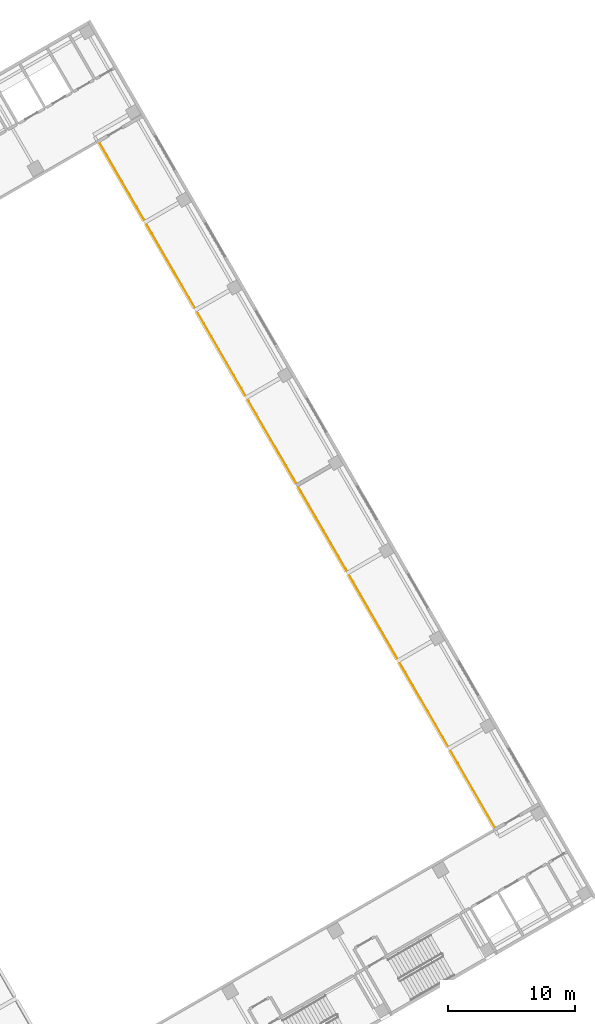
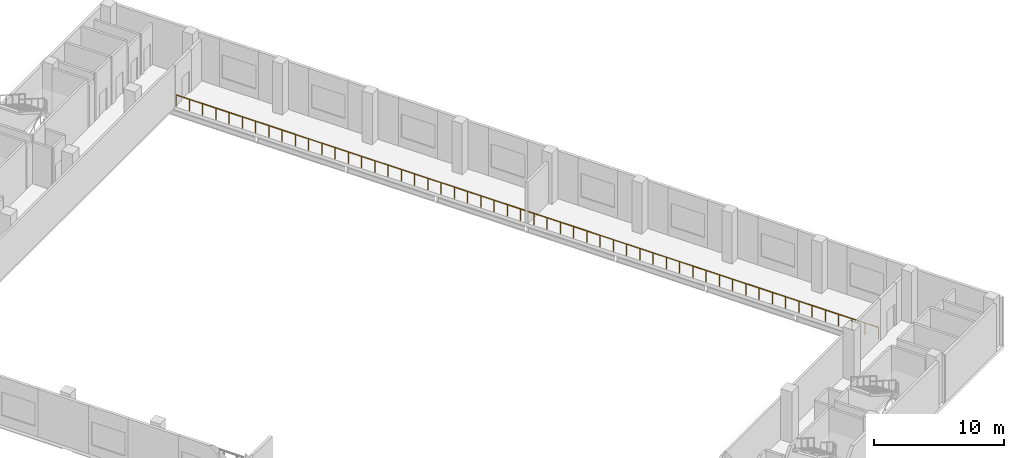
# One storey, part 28 of 28: 1 railing.
"""IFC4 building model written with IfcOpenShell, lengths in metres."""

from ifc_helpers import new_model, si_unit, direction, frame, origin, origin_2d, place, context, subcontext, project, spatial, circle, extrude, material, type_object, element, save


model = new_model("IFC4")

# Units and contexts
model_context = context("Model", 3, precision=1e-05, world=origin(), true_north=direction((0.0, 1.0)))
body_context = subcontext(model_context, "Body", "Model", "MODEL_VIEW")
ifc_project = project(units=[si_unit("LENGTHUNIT", "METRE"), si_unit("AREAUNIT", "SQUARE_METRE"), si_unit("VOLUMEUNIT", "CUBIC_METRE"), si_unit("PLANEANGLEUNIT", "RADIAN"), si_unit("MASSUNIT", "GRAM", prefix="KILO")], contexts=[model_context])

# Site, building, storey
site_placement = place(None, origin())
site = spatial("IfcSite", under=ifc_project, at=site_placement, CompositionType="ELEMENT")
building_placement = place(site_placement, origin())
building = spatial("IfcBuilding", under=site, at=building_placement, Name="Mestral Congress Tower", CompositionType="ELEMENT")
storey_placement = place(building_placement, frame((0.0, 0.0, 11.39990234375)))
storey = spatial("IfcBuildingStorey", under=building, at=storey_placement, Name="L02", CompositionType="ELEMENT", Elevation=11.39990234375)

# Railing
ifc_material = material(Name="Steel balustrade", Category="steel")
railing_type = type_object("IfcRailingType", Name="Podium gallery guard 1100", PredefinedType="GUARDRAIL", material=ifc_material)
railing_placement = place(storey_placement, frame((76.01123046875, 7.80078125, 0.0)))
element("IfcRailing", 1, at=railing_placement, inside=storey, type_object=railing_type, Name="Gallery guard", PredefinedType="GUARDRAIL", context=body_context, shape_type="SweptSolid", body=[
    extrude(circle(Radius=0.02392578125, at=origin_2d()), frame((0.0, 0.0, 1.076171875), z_axis=(-0.500000851427, 0.866024912212, 0.0), x_axis=(-0.866024912212, -0.500000851427, 0.0)), (0.0, 0.0, 1.0), 62.5),
    extrude(circle(Radius=0.02099609375, at=origin_2d()), origin(), (0.0, 0.0, 1.0), 1.052001953125),
    extrude(circle(Radius=0.02099609375, at=origin_2d()), frame((-0.589599609375, 1.021240234375, 0.0)), (0.0, 0.0, 1.0), 1.052001953125),
    extrude(circle(Radius=0.02099609375, at=origin_2d()), frame((-1.17919921875, 2.04248046875, 0.0)), (0.0, 0.0, 1.0), 1.052001953125),
    extrude(circle(Radius=0.02099609375, at=origin_2d()), frame((-1.768798828125, 3.063720703125, 0.0)), (0.0, 0.0, 1.0), 1.052001953125),
    extrude(circle(Radius=0.02099609375, at=origin_2d()), frame((-2.3583984375, 4.0849609375, 0.0)), (0.0, 0.0, 1.0), 1.052001953125),
    extrude(circle(Radius=0.02099609375, at=origin_2d()), frame((-2.947998046875, 5.106201171875, 0.0)), (0.0, 0.0, 1.0), 1.052001953125),
    extrude(circle(Radius=0.02099609375, at=origin_2d()), frame((-3.537841796875, 6.12744140625, 0.0)), (0.0, 0.0, 1.0), 1.052001953125),
    extrude(circle(Radius=0.02099609375, at=origin_2d()), frame((-4.12744140625, 7.148681640625, 0.0)), (0.0, 0.0, 1.0), 1.052001953125),
    extrude(circle(Radius=0.02099609375, at=origin_2d()), frame((-4.717041015625, 8.169921875, 0.0)), (0.0, 0.0, 1.0), 1.052001953125),
    extrude(circle(Radius=0.02099609375, at=origin_2d()), frame((-5.306640625, 9.19140625, 0.0)), (0.0, 0.0, 1.0), 1.052001953125),
    extrude(circle(Radius=0.02099609375, at=origin_2d()), frame((-5.896240234375, 10.212646484375, 0.0)), (0.0, 0.0, 1.0), 1.052001953125),
    extrude(circle(Radius=0.02099609375, at=origin_2d()), frame((-6.48583984375, 11.23388671875, 0.0)), (0.0, 0.0, 1.0), 1.052001953125),
    extrude(circle(Radius=0.02099609375, at=origin_2d()), frame((-7.075439453125, 12.255126953125, 0.0)), (0.0, 0.0, 1.0), 1.052001953125),
    extrude(circle(Radius=0.02099609375, at=origin_2d()), frame((-7.6650390625, 13.2763671875, 0.0)), (0.0, 0.0, 1.0), 1.052001953125),
    extrude(circle(Radius=0.02099609375, at=origin_2d()), frame((-8.254638671875, 14.297607421875, 0.0)), (0.0, 0.0, 1.0), 1.052001953125),
    extrude(circle(Radius=0.02099609375, at=origin_2d()), frame((-8.84423828125, 15.31884765625, 0.0)), (0.0, 0.0, 1.0), 1.052001953125),
    extrude(circle(Radius=0.02099609375, at=origin_2d()), frame((-9.43408203125, 16.340087890625, 0.0)), (0.0, 0.0, 1.0), 1.052001953125),
    extrude(circle(Radius=0.02099609375, at=origin_2d()), frame((-10.023681640625, 17.361328125, 0.0)), (0.0, 0.0, 1.0), 1.052001953125),
    extrude(circle(Radius=0.02099609375, at=origin_2d()), frame((-10.61328125, 18.382568359375, 0.0)), (0.0, 0.0, 1.0), 1.052001953125),
    extrude(circle(Radius=0.02099609375, at=origin_2d()), frame((-11.202880859375, 19.40380859375, 0.0)), (0.0, 0.0, 1.0), 1.052001953125),
    extrude(circle(Radius=0.02099609375, at=origin_2d()), frame((-11.79248046875, 20.425048828125, 0.0)), (0.0, 0.0, 1.0), 1.052001953125),
    extrude(circle(Radius=0.02099609375, at=origin_2d()), frame((-12.382080078125, 21.4462890625, 0.0)), (0.0, 0.0, 1.0), 1.052001953125),
    extrude(circle(Radius=0.02099609375, at=origin_2d()), frame((-12.9716796875, 22.467529296875, 0.0)), (0.0, 0.0, 1.0), 1.052001953125),
    extrude(circle(Radius=0.02099609375, at=origin_2d()), frame((-13.561279296875, 23.48876953125, 0.0)), (0.0, 0.0, 1.0), 1.052001953125),
    extrude(circle(Radius=0.02099609375, at=origin_2d()), frame((-14.15087890625, 24.510009765625, 0.0)), (0.0, 0.0, 1.0), 1.052001953125),
    extrude(circle(Radius=0.02099609375, at=origin_2d()), frame((-14.740478515625, 25.53125, 0.0)), (0.0, 0.0, 1.0), 1.052001953125),
    extrude(circle(Radius=0.02099609375, at=origin_2d()), frame((-15.330078125, 26.552490234375, 0.0)), (0.0, 0.0, 1.0), 1.052001953125),
    extrude(circle(Radius=0.02099609375, at=origin_2d()), frame((-15.919921875, 27.573974609375, 0.0)), (0.0, 0.0, 1.0), 1.052001953125),
    extrude(circle(Radius=0.02099609375, at=origin_2d()), frame((-16.509521484375, 28.59521484375, 0.0)), (0.0, 0.0, 1.0), 1.052001953125),
    extrude(circle(Radius=0.02099609375, at=origin_2d()), frame((-17.09912109375, 29.616455078125, 0.0)), (0.0, 0.0, 1.0), 1.052001953125),
    extrude(circle(Radius=0.02099609375, at=origin_2d()), frame((-17.688720703125, 30.6376953125, 0.0)), (0.0, 0.0, 1.0), 1.052001953125),
    extrude(circle(Radius=0.02099609375, at=origin_2d()), frame((-18.2783203125, 31.658935546875, 0.0)), (0.0, 0.0, 1.0), 1.052001953125),
    extrude(circle(Radius=0.02099609375, at=origin_2d()), frame((-18.867919921875, 32.68017578125, 0.0)), (0.0, 0.0, 1.0), 1.052001953125),
    extrude(circle(Radius=0.02099609375, at=origin_2d()), frame((-19.45751953125, 33.701416015625, 0.0)), (0.0, 0.0, 1.0), 1.052001953125),
    extrude(circle(Radius=0.02099609375, at=origin_2d()), frame((-20.047119140625, 34.72265625, 0.0)), (0.0, 0.0, 1.0), 1.052001953125),
    extrude(circle(Radius=0.02099609375, at=origin_2d()), frame((-20.63671875, 35.743896484375, 0.0)), (0.0, 0.0, 1.0), 1.052001953125),
    extrude(circle(Radius=0.02099609375, at=origin_2d()), frame((-21.226318359375, 36.76513671875, 0.0)), (0.0, 0.0, 1.0), 1.052001953125),
    extrude(circle(Radius=0.02099609375, at=origin_2d()), frame((-21.81591796875, 37.786376953125, 0.0)), (0.0, 0.0, 1.0), 1.052001953125),
    extrude(circle(Radius=0.02099609375, at=origin_2d()), frame((-22.40576171875, 38.8076171875, 0.0)), (0.0, 0.0, 1.0), 1.052001953125),
    extrude(circle(Radius=0.02099609375, at=origin_2d()), frame((-22.995361328125, 39.828857421875, 0.0)), (0.0, 0.0, 1.0), 1.052001953125),
    extrude(circle(Radius=0.02099609375, at=origin_2d()), frame((-23.5849609375, 40.85009765625, 0.0)), (0.0, 0.0, 1.0), 1.052001953125),
    extrude(circle(Radius=0.02099609375, at=origin_2d()), frame((-24.174560546875, 41.871337890625, 0.0)), (0.0, 0.0, 1.0), 1.052001953125),
    extrude(circle(Radius=0.02099609375, at=origin_2d()), frame((-24.76416015625, 42.892578125, 0.0)), (0.0, 0.0, 1.0), 1.052001953125),
    extrude(circle(Radius=0.02099609375, at=origin_2d()), frame((-25.353759765625, 43.913818359375, 0.0)), (0.0, 0.0, 1.0), 1.052001953125),
    extrude(circle(Radius=0.02099609375, at=origin_2d()), frame((-25.943359375, 44.93505859375, 0.0)), (0.0, 0.0, 1.0), 1.052001953125),
    extrude(circle(Radius=0.02099609375, at=origin_2d()), frame((-26.532958984375, 45.95654296875, 0.0)), (0.0, 0.0, 1.0), 1.052001953125),
    extrude(circle(Radius=0.02099609375, at=origin_2d()), frame((-27.12255859375, 46.977783203125, 0.0)), (0.0, 0.0, 1.0), 1.052001953125),
    extrude(circle(Radius=0.02099609375, at=origin_2d()), frame((-27.712158203125, 47.9990234375, 0.0)), (0.0, 0.0, 1.0), 1.052001953125),
    extrude(circle(Radius=0.02099609375, at=origin_2d()), frame((-28.302001953125, 49.020263671875, 0.0)), (0.0, 0.0, 1.0), 1.052001953125),
    extrude(circle(Radius=0.02099609375, at=origin_2d()), frame((-28.8916015625, 50.04150390625, 0.0)), (0.0, 0.0, 1.0), 1.052001953125),
    extrude(circle(Radius=0.02099609375, at=origin_2d()), frame((-29.481201171875, 51.062744140625, 0.0)), (0.0, 0.0, 1.0), 1.052001953125),
    extrude(circle(Radius=0.02099609375, at=origin_2d()), frame((-30.07080078125, 52.083984375, 0.0)), (0.0, 0.0, 1.0), 1.052001953125),
    extrude(circle(Radius=0.02099609375, at=origin_2d()), frame((-30.660400390625, 53.105224609375, 0.0)), (0.0, 0.0, 1.0), 1.052001953125),
    extrude(circle(Radius=0.02099609375, at=origin_2d()), frame((-31.25, 54.12646484375, 0.0)), (0.0, 0.0, 1.0), 1.052001953125),
])

save(model, "model.ifc")
